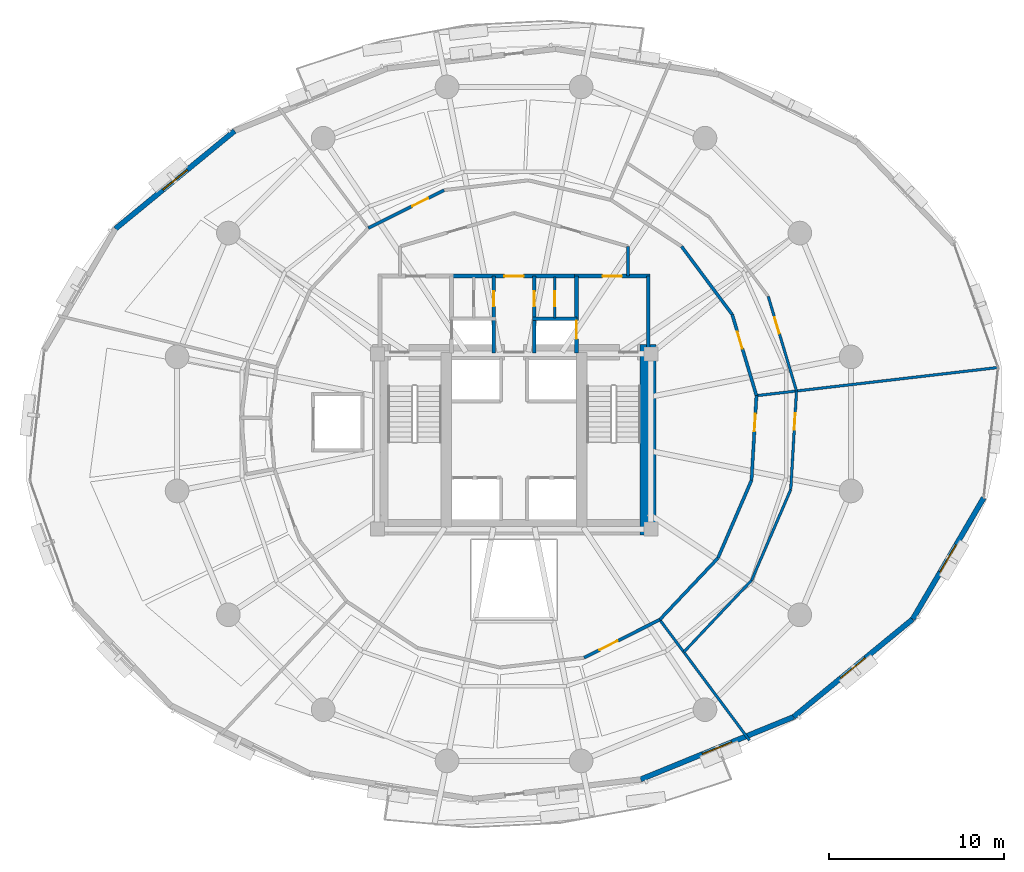
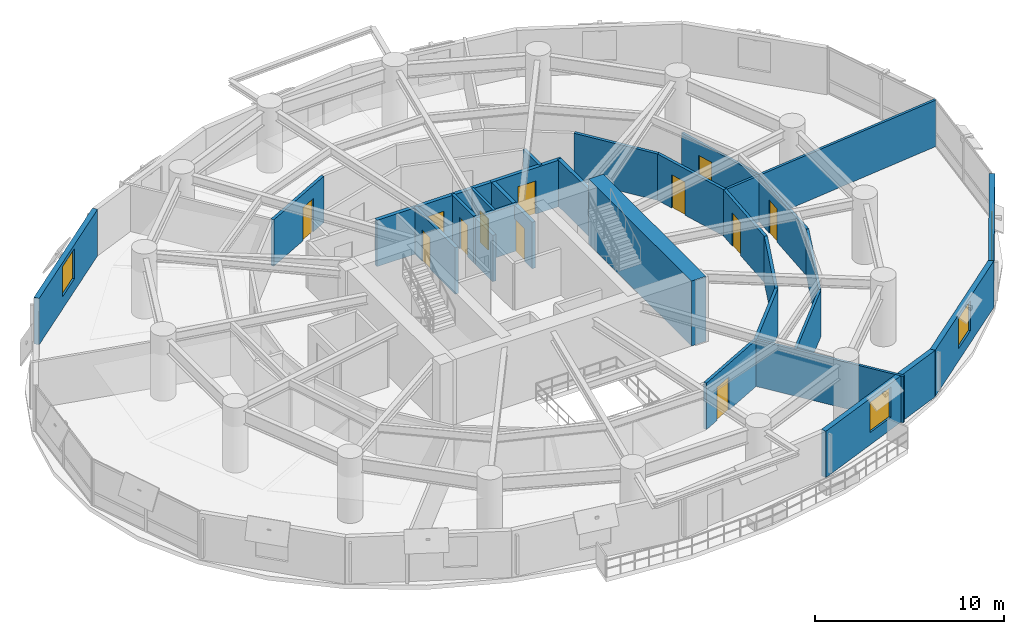
# One storey, part 13 of 17: 27 walls, 12 doors, 4 windows, 16 openings.
"""IFC4 building model written with IfcOpenShell, lengths in metres."""

from ifc_helpers import new_model, si_unit, direction, frame, frame_2d, origin, place, context, subcontext, project, spatial, rectangle, extrude, material, layer, layer_set, type_object, element, fill, save


model = new_model("IFC4")

# Units and contexts
model_context = context("Model", 3, precision=1e-05, world=origin(), true_north=direction((0.0, 1.0)))
body_context = subcontext(model_context, "Body", "Model", "MODEL_VIEW")
ifc_project = project(units=[si_unit("LENGTHUNIT", "METRE"), si_unit("AREAUNIT", "SQUARE_METRE"), si_unit("VOLUMEUNIT", "CUBIC_METRE"), si_unit("PLANEANGLEUNIT", "RADIAN"), si_unit("MASSUNIT", "GRAM", prefix="KILO"), si_unit("THERMODYNAMICTEMPERATUREUNIT", "KELVIN"), si_unit("POWERUNIT", "WATT")], contexts=[model_context])

# Site, building, storey
site_placement = place(None, origin())
site = spatial("IfcSite", under=ifc_project, at=site_placement, CompositionType="ELEMENT")
building_placement = place(site_placement, origin())
building = spatial("IfcBuilding", under=site, at=building_placement, Name="Ocrelia Relay Tower", CompositionType="ELEMENT")
storey_placement = place(building_placement, frame((0.0, 0.0, 59.39990234375)))
storey = spatial("IfcBuildingStorey", under=building, at=storey_placement, Name="L13", CompositionType="ELEMENT", Elevation=59.39990234375)

# Walls
ifc_material_1 = material(Name="Concrete C70/85", Category="concrete")
ifc_layer_1 = layer(ifc_material_1, 0.89990234375, Name="Concrete C70/85")
ifc_layer_set_1 = layer_set([ifc_layer_1], Name="Concrete C70/85")
wall_type_1 = type_object("IfcWallType", Name="CW-CORE-900", PredefinedType="SHEAR", material=ifc_layer_set_1)
wall_1_placement = place(storey_placement, frame((41.637939453125, 19.662109375, 0.0), z_axis=(0.0, 0.0, 1.0), x_axis=(0.0, 1.0, 0.0)))
element("IfcWall", 1, at=wall_1_placement, inside=storey, type_object=wall_type_1, Name="L13 Core Shear Wall E", PredefinedType="SHEAR", context=body_context, shape_type="SweptSolid", body=[
    extrude(rectangle(XDim=10.8759765625, YDim=0.89990234375, at=frame_2d((5.43798828125, 0.0))), origin(), (0.0, 0.0, 1.0), 4.2001953125),
])
ifc_material_2 = material(Name="Gypsum Fireboard Partition EI60", Category="gypsum")
ifc_layer_2 = layer(ifc_material_2, 0.179931640625, Name="Gypsum Fireboard Partition EI60")
ifc_layer_set_2 = layer_set([ifc_layer_2], Name="Gypsum Fireboard Partition EI60")
wall_type_2 = type_object("IfcWallType", Name="W-CORR-EI60-180", PredefinedType="PARTITIONING", material=ifc_layer_set_2)
wall_2_placement = place(storey_placement, frame((40.5, 36.122802734375, 0.0), z_axis=(0.0, 0.0, 1.0), x_axis=(0.0, -1.0, 0.0)))
element("IfcWall", 2, at=wall_2_placement, inside=storey, type_object=wall_type_2, Name="L13 Smoke Lobby East Return", PredefinedType="PARTITIONING", context=body_context, shape_type="SweptSolid", body=[
    extrude(rectangle(XDim=1.69287109375, YDim=0.179931640625, at=frame_2d((0.846435546875, 0.0))), origin(), (0.0, 0.0, 1.0), 3.0),
])

# Wall, opening, door
wall_3_placement = place(storey_placement, frame((37.98828125, 12.66357421875, 0.0), z_axis=(0.0, 0.0, 1.0), x_axis=(0.893759589468, 0.44854631448, 0.0)))
wall_3 = element("IfcWall", 3, at=wall_3_placement, inside=storey, type_object=wall_type_2, Name="L13 Colocation Data Hall A Corridor Partition 4", PredefinedType="PARTITIONING", context=body_context, shape_type="SweptSolid", body=[
    extrude(rectangle(XDim=4.83447265625, YDim=0.179931640625, at=frame_2d((2.417236328125, 0.0))), origin(), (0.0, 0.0, 1.0), 3.0),
])
opening_1_placement = place(wall_3_placement, frame((0.99609375, 0.0, 0.0)))
opening_1 = element("IfcOpeningElement", 4, at=opening_1_placement, cuts=wall_3, Name="Opening D-RM115", PredefinedType="OPENING", context=body_context, shape_type="SweptSolid", body=[
    extrude(rectangle(XDim=1.14990234375, YDim=2.14990234375, at=frame_2d((0.574951171875, 1.074951171875))), frame((0.0, 0.10009765625, 0.0), z_axis=(0.0, -1.0, 0.0), x_axis=(1.0, 0.0, 0.0)), (0.0, 0.0, 1.0), 0.199951171875),
])
ifc_material_3 = material(Name="Wide acoustic oak veneer fire door", Category="wood")
door_type_1 = type_object("IfcDoorType", Name="DR-ROOM-1150", OperationType="NOTDEFINED", PredefinedType="DOOR", material=ifc_material_3)
door_1_placement = place(opening_1_placement, origin())
door_1 = element("IfcDoor", 5, at=door_1_placement, inside=storey, type_object=door_type_1, Name="L13 Colocation Data Hall A Entrance Door", OperationType="SINGLE_SWING_LEFT", OverallHeight=2.14990234375, OverallWidth=1.14990234375, PredefinedType="DOOR", context=body_context, shape_type="SweptSolid", body=[
    extrude(rectangle(XDim=1.14990234375, YDim=2.14990234375, at=frame_2d((0.574951171875, 1.074951171875))), frame((0.0, 0.02490234375, 0.0), z_axis=(0.0, -1.0, 0.0), x_axis=(1.0, 0.0, 0.0)), (0.0, 0.0, 1.0), 0.050048828125),
])
fill(opening_1, door_1)

# Walls
for number, where, z_axis, x_axis, name in (
    (6, (42.30908203125, 14.83203125, 0.0), (0.0, 0.0, 1.0), (0.68646187942, 0.727165791346, 0.0), "L13 Innovation Club Room Corridor Partition 1"),
    (7, (45.627685546875, 18.347412109375, 0.0), (0.0, 0.0, 1.0), (0.396374105142, 0.918089085423, 0.0), "L13 Innovation Club Room Corridor Partition 2"),
):
    element("IfcWall", number, at=place(storey_placement, frame(where, z_axis=z_axis, x_axis=x_axis)), inside=storey, type_object=wall_type_2, Name=name, PredefinedType="PARTITIONING", context=body_context, shape_type="SweptSolid", body=[
        extrude(rectangle(XDim=4.83447265625, YDim=0.179931640625, at=frame_2d((2.417236328125, 0.0))), origin(), (0.0, 0.0, 1.0), 3.0),
    ])

# Wall, opening, door
wall_4_placement = place(storey_placement, frame((47.5439453125, 22.785888671875, 0.0), z_axis=(0.0, 0.0, 1.0), x_axis=(0.058428943061, 0.99829156994, 0.0)))
wall_4 = element("IfcWall", 8, at=wall_4_placement, inside=storey, type_object=wall_type_2, Name="L13 Innovation Club Room Corridor Partition 3", PredefinedType="PARTITIONING", context=body_context, shape_type="SweptSolid", body=[
    extrude(rectangle(XDim=4.83447265625, YDim=0.179931640625, at=frame_2d((2.417236328125, 0.0))), origin(), (0.0, 0.0, 1.0), 3.0),
])
opening_2_placement = place(wall_4_placement, frame((2.80078125, 0.0, 0.0)))
opening_2 = element("IfcOpeningElement", 9, at=opening_2_placement, cuts=wall_4, Name="Opening D-RM100", PredefinedType="OPENING", context=body_context, shape_type="SweptSolid", body=[
    extrude(rectangle(XDim=1.0, YDim=2.14990234375, at=frame_2d((0.5, 1.074951171875))), frame((0.0, 0.10009765625, 0.0), z_axis=(0.0, -1.0, 0.0), x_axis=(1.0, 0.0, 0.0)), (0.0, 0.0, 1.0), 0.199951171875),
])
ifc_material_4 = material(Name="Acoustic oak veneer fire door", Category="wood")
door_type_2 = type_object("IfcDoorType", Name="DR-ROOM-FD60-1000", OperationType="NOTDEFINED", PredefinedType="DOOR", material=ifc_material_4)
door_2_placement = place(opening_2_placement, origin())
door_2 = element("IfcDoor", 10, at=door_2_placement, inside=storey, type_object=door_type_2, Name="L13 Innovation Club Room Entrance Door", OperationType="SINGLE_SWING_RIGHT", OverallHeight=2.14990234375, OverallWidth=1.0, PredefinedType="DOOR", context=body_context, shape_type="SweptSolid", body=[
    extrude(rectangle(XDim=1.0, YDim=2.14990234375, at=frame_2d((0.5, 1.074951171875))), frame((0.0, 0.02490234375, 0.0), z_axis=(0.0, -1.0, 0.0), x_axis=(1.0, 0.0, 0.0)), (0.0, 0.0, 1.0), 0.050048828125),
])
fill(opening_2, door_2)

wall_5_placement = place(storey_placement, frame((47.826416015625, 27.612060546875, 0.0), z_axis=(0.0, 0.0, 1.0), x_axis=(-0.28654624533, 0.958066411731, 0.0)))
wall_5 = element("IfcWall", 11, at=wall_5_placement, inside=storey, type_object=wall_type_2, Name="L13 Staff Wellness Room Corridor Partition 1", PredefinedType="PARTITIONING", context=body_context, shape_type="SweptSolid", body=[
    extrude(rectangle(XDim=4.834228515625, YDim=0.179931640625, at=frame_2d((2.4169921875, 0.0))), origin(), (0.0, 0.0, 1.0), 3.0),
])
opening_3_placement = place(wall_5_placement, frame((2.80078125, 0.0, 0.0)))
opening_3 = element("IfcOpeningElement", 12, at=opening_3_placement, cuts=wall_5, Name="Opening D-RM100", PredefinedType="OPENING", context=body_context, shape_type="SweptSolid", body=[
    extrude(rectangle(XDim=1.0, YDim=2.14990234375, at=frame_2d((0.5, 1.074951171875))), frame((0.0, 0.10009765625, 0.0), z_axis=(0.0, -1.0, 0.0), x_axis=(1.0, 0.0, 0.0)), (0.0, 0.0, 1.0), 0.199951171875),
])
door_3_placement = place(opening_3_placement, origin())
door_3 = element("IfcDoor", 13, at=door_3_placement, inside=storey, type_object=door_type_2, Name="L13 Staff Wellness Room Entrance Door", OperationType="SINGLE_SWING_RIGHT", OverallHeight=2.14990234375, OverallWidth=1.0, PredefinedType="DOOR", context=body_context, shape_type="SweptSolid", body=[
    extrude(rectangle(XDim=1.0, YDim=2.14990234375, at=frame_2d((0.5, 1.074951171875))), frame((0.0, 0.02490234375, 0.0), z_axis=(0.0, -1.0, 0.0), x_axis=(1.0, 0.0, 0.0)), (0.0, 0.0, 1.0), 0.050048828125),
])
fill(opening_3, door_3)

# Wall
wall_6_placement = place(storey_placement, frame((46.441162109375, 32.24365234375, 0.0), z_axis=(0.0, 0.0, 1.0), x_axis=(-0.596917041203, 0.802302963924, 0.0)))
element("IfcWall", 14, at=wall_6_placement, inside=storey, type_object=wall_type_2, Name="L13 Staff Wellness Room Corridor Partition 2", PredefinedType="PARTITIONING", context=body_context, shape_type="SweptSolid", body=[
    extrude(rectangle(XDim=4.83447265625, YDim=0.179931640625, at=frame_2d((2.417236328125, 0.0))), origin(), (0.0, 0.0, 1.0), 3.0),
])

# Wall, opening, door
wall_7_placement = place(storey_placement, frame((30.01171875, 39.33642578125, 0.0), z_axis=(0.0, 0.0, 1.0), x_axis=(-0.893759589468, -0.44854631448, 0.0)))
wall_7 = element("IfcWall", 15, at=wall_7_placement, inside=storey, type_object=wall_type_2, Name="L13 Shift Staff Lounge Corridor Partition 3", PredefinedType="PARTITIONING", context=body_context, shape_type="SweptSolid", body=[
    extrude(rectangle(XDim=4.83447265625, YDim=0.179931640625, at=frame_2d((2.417236328125, 0.0))), origin(), (0.0, 0.0, 1.0), 3.0),
])
opening_4_placement = place(wall_7_placement, frame((1.03369140625, 0.0, 0.0)))
opening_4 = element("IfcOpeningElement", 16, at=opening_4_placement, cuts=wall_7, Name="Opening D-RM100", PredefinedType="OPENING", context=body_context, shape_type="SweptSolid", body=[
    extrude(rectangle(XDim=1.0, YDim=2.14990234375, at=frame_2d((0.5, 1.074951171875))), frame((0.0, 0.10009765625, 0.0), z_axis=(0.0, -1.0, 0.0), x_axis=(1.0, 0.0, 0.0)), (0.0, 0.0, 1.0), 0.199951171875),
])
door_4_placement = place(opening_4_placement, origin())
door_4 = element("IfcDoor", 17, at=door_4_placement, inside=storey, type_object=door_type_2, Name="L13 Shift Staff Lounge Entrance Door", OperationType="SINGLE_SWING_RIGHT", OverallHeight=2.14990234375, OverallWidth=1.0, PredefinedType="DOOR", context=body_context, shape_type="SweptSolid", body=[
    extrude(rectangle(XDim=1.0, YDim=2.14990234375, at=frame_2d((0.5, 1.074951171875))), frame((0.0, 0.02490234375, 0.0), z_axis=(0.0, -1.0, 0.0), x_axis=(1.0, 0.0, 0.0)), (0.0, 0.0, 1.0), 0.050048828125),
])
fill(opening_4, door_4)

# Wall, opening, window
ifc_material_5 = material(Name="Precast concrete C40/50 with oxide terracotta", Category="masonry")
ifc_layer_3 = layer(ifc_material_5, 0.300048828125, Name="Precast concrete C40/50 with oxide terracotta")
ifc_layer_set_3 = layer_set([ifc_layer_3], Name="Precast concrete C40/50 with oxide terracotta")
wall_type_3 = type_object("IfcWallType", Name="W-EXT-TERR-300", PredefinedType="SOLIDWALL", material=ifc_layer_set_3)
wall_8_placement = place(storey_placement, frame((18.057373046875, 42.712646484375, 0.0), z_axis=(0.0, 0.0, 1.0), x_axis=(-0.77286874502, -0.634565916964, 0.0)))
wall_8 = element("IfcWall", 18, at=wall_8_placement, inside=storey, type_object=wall_type_3, Name="L13 Oxide Terracotta Facade Wall 07", PredefinedType="SOLIDWALL", context=body_context, shape_type="SweptSolid", body=[
    extrude(rectangle(XDim=8.792724609375, YDim=0.300048828125, at=frame_2d((4.396484375, 0.0))), origin(), (0.0, 0.0, 1.0), 3.0),
])
opening_5_placement = place(wall_8_placement, frame((3.49609375, 0.0, 0.800048828125)))
opening_5 = element("IfcOpeningElement", 19, at=opening_5_placement, cuts=wall_8, Name="Opening W-02", PredefinedType="OPENING", context=body_context, shape_type="SweptSolid", body=[
    extrude(rectangle(XDim=1.800048828125, YDim=1.949951171875, at=frame_2d((0.89990234375, 0.97509765625))), frame((0.0, 0.16015625, 0.0), z_axis=(0.0, -1.0, 0.0), x_axis=(1.0, 0.0, 0.0)), (0.0, 0.0, 1.0), 0.320068359375),
])
ifc_material_6 = material(Name="Clear double-glazed low-E glass", Category="glass")
window_type = type_object("IfcWindowType", Name="WIN-Z1-1800x2100", PartitioningType="DOUBLE_PANEL_VERTICAL", PredefinedType="WINDOW", material=ifc_material_6)
window_1_placement = place(opening_5_placement, origin())
window_1 = element("IfcWindow", 20, at=window_1_placement, inside=storey, type_object=window_type, Name="L13 Facade Module Window 07", OverallHeight=1.949951171875, OverallWidth=1.800048828125, PartitioningType="SINGLE_PANEL", PredefinedType="WINDOW", context=body_context, shape_type="SweptSolid", body=[
    extrude(rectangle(XDim=1.800048828125, YDim=1.949951171875, at=frame_2d((0.89990234375, 0.97509765625))), frame((0.0, 0.030029296875, 0.0), z_axis=(0.0, -1.0, 0.0), x_axis=(1.0, 0.0, 0.0)), (0.0, 0.0, 1.0), 0.06005859375),
])
fill(opening_5, window_1)

wall_9_placement = place(storey_placement, frame((41.22412109375, 5.723876953125, 0.0), z_axis=(0.0, 0.0, 1.0), x_axis=(0.925665413504, 0.378343154084, 0.0)))
wall_9 = element("IfcWall", 21, at=wall_9_placement, inside=storey, type_object=wall_type_3, Name="L13 Oxide Terracotta Facade Wall 15", PredefinedType="SOLIDWALL", context=body_context, shape_type="SweptSolid", body=[
    extrude(rectangle(XDim=9.418701171875, YDim=0.300048828125, at=frame_2d((4.70947265625, 0.0))), origin(), (0.0, 0.0, 1.0), 3.0),
])
opening_6_placement = place(wall_9_placement, frame((3.80908203125, 0.0, 0.800048828125)))
opening_6 = element("IfcOpeningElement", 22, at=opening_6_placement, cuts=wall_9, Name="Opening W-02", PredefinedType="OPENING", context=body_context, shape_type="SweptSolid", body=[
    extrude(rectangle(XDim=1.800048828125, YDim=1.949951171875, at=frame_2d((0.89990234375, 0.97509765625))), frame((0.0, 0.16015625, 0.0), z_axis=(0.0, -1.0, 0.0), x_axis=(1.0, 0.0, 0.0)), (0.0, 0.0, 1.0), 0.320068359375),
])
window_2_placement = place(opening_6_placement, origin())
window_2 = element("IfcWindow", 23, at=window_2_placement, inside=storey, type_object=window_type, Name="L13 Facade Module Window 15", OverallHeight=1.949951171875, OverallWidth=1.800048828125, PartitioningType="SINGLE_PANEL", PredefinedType="WINDOW", context=body_context, shape_type="SweptSolid", body=[
    extrude(rectangle(XDim=1.800048828125, YDim=1.949951171875, at=frame_2d((0.89990234375, 0.97509765625))), frame((0.0, 0.030029296875, 0.0), z_axis=(0.0, -1.0, 0.0), x_axis=(1.0, 0.0, 0.0)), (0.0, 0.0, 1.0), 0.06005859375),
])
fill(opening_6, window_2)

wall_10_placement = place(storey_placement, frame((49.942626953125, 9.287353515625, 0.0), z_axis=(0.0, 0.0, 1.0), x_axis=(0.77286874502, 0.634565916964, 0.0)))
wall_10 = element("IfcWall", 24, at=wall_10_placement, inside=storey, type_object=wall_type_3, Name="L13 Oxide Terracotta Facade Wall 16", PredefinedType="SOLIDWALL", context=body_context, shape_type="SweptSolid", body=[
    extrude(rectangle(XDim=8.792724609375, YDim=0.300048828125, at=frame_2d((4.396484375, 0.0))), origin(), (0.0, 0.0, 1.0), 3.0),
])
opening_7_placement = place(wall_10_placement, frame((3.49609375, 0.0, 0.800048828125)))
opening_7 = element("IfcOpeningElement", 25, at=opening_7_placement, cuts=wall_10, Name="Opening W-02", PredefinedType="OPENING", context=body_context, shape_type="SweptSolid", body=[
    extrude(rectangle(XDim=1.800048828125, YDim=1.949951171875, at=frame_2d((0.89990234375, 0.97509765625))), frame((0.0, 0.16015625, 0.0), z_axis=(0.0, -1.0, 0.0), x_axis=(1.0, 0.0, 0.0)), (0.0, 0.0, 1.0), 0.320068359375),
])
window_3_placement = place(opening_7_placement, origin())
window_3 = element("IfcWindow", 26, at=window_3_placement, inside=storey, type_object=window_type, Name="L13 Facade Module Window 16", OverallHeight=1.949951171875, OverallWidth=1.800048828125, PartitioningType="SINGLE_PANEL", PredefinedType="WINDOW", context=body_context, shape_type="SweptSolid", body=[
    extrude(rectangle(XDim=1.800048828125, YDim=1.949951171875, at=frame_2d((0.89990234375, 0.97509765625))), frame((0.0, 0.030029296875, 0.0), z_axis=(0.0, -1.0, 0.0), x_axis=(1.0, 0.0, 0.0)), (0.0, 0.0, 1.0), 0.06005859375),
])
fill(opening_7, window_3)

wall_11_placement = place(storey_placement, frame((56.73828125, 14.866943359375, 0.0), z_axis=(0.0, 0.0, 1.0), x_axis=(0.505259367274, 0.862967538081, 0.0)))
wall_11 = element("IfcWall", 27, at=wall_11_placement, inside=storey, type_object=wall_type_3, Name="L13 Oxide Terracotta Facade Wall 17", PredefinedType="SOLIDWALL", context=body_context, shape_type="SweptSolid", body=[
    extrude(rectangle(XDim=8.021484375, YDim=0.300048828125, at=frame_2d((4.0107421875, 0.0))), origin(), (0.0, 0.0, 1.0), 3.0),
])
opening_8_placement = place(wall_11_placement, frame((3.111083984375, 0.0, 0.800048828125)))
opening_8 = element("IfcOpeningElement", 28, at=opening_8_placement, cuts=wall_11, Name="Opening W-02", PredefinedType="OPENING", context=body_context, shape_type="SweptSolid", body=[
    extrude(rectangle(XDim=1.800048828125, YDim=1.949951171875, at=frame_2d((0.89990234375, 0.97509765625))), frame((0.0, 0.16015625, 0.0), z_axis=(0.0, -1.0, 0.0), x_axis=(1.0, 0.0, 0.0)), (0.0, 0.0, 1.0), 0.320068359375),
])
window_4_placement = place(opening_8_placement, origin())
window_4 = element("IfcWindow", 29, at=window_4_placement, inside=storey, type_object=window_type, Name="L13 Facade Module Window 17", OverallHeight=1.949951171875, OverallWidth=1.800048828125, PartitioningType="SINGLE_PANEL", PredefinedType="WINDOW", context=body_context, shape_type="SweptSolid", body=[
    extrude(rectangle(XDim=1.800048828125, YDim=1.949951171875, at=frame_2d((0.89990234375, 0.97509765625))), frame((0.0, 0.030029296875, 0.0), z_axis=(0.0, -1.0, 0.0), x_axis=(1.0, 0.0, 0.0)), (0.0, 0.0, 1.0), 0.06005859375),
])
fill(opening_8, window_4)

# Wall, opening, door
ifc_material_7 = material(Name="Concrete C50/60", Category="concrete")
ifc_layer_4 = layer(ifc_material_7, 0.219970703125, Name="Concrete C50/60")
ifc_layer_set_4 = layer_set([ifc_layer_4], Name="Concrete C50/60")
wall_type_4 = type_object("IfcWallType", Name="W-FFL-EI120-220", PredefinedType="SOLIDWALL", material=ifc_layer_set_4)
wall_12_placement = place(storey_placement, frame((37.56005859375, 30.050048828125, 0.0), z_axis=(0.0, 0.0, 1.0), x_axis=(0.0, 1.0, 0.0)))
wall_12 = element("IfcWall", 30, at=wall_12_placement, inside=storey, type_object=wall_type_4, Name="L13 E Fire Service Lift Lobby West Wall", PredefinedType="SOLIDWALL", context=body_context, shape_type="SweptSolid", body=[
    extrude(rectangle(XDim=4.3798828125, YDim=0.219970703125, at=frame_2d((2.18994140625, 0.0))), origin(), (0.0, 0.0, 1.0), 3.0),
])
opening_9_placement = place(wall_12_placement, frame((0.800048828125, 0.0, 0.0)))
opening_9 = element("IfcOpeningElement", 31, at=opening_9_placement, cuts=wall_12, Name="Opening LD-FFL2", PredefinedType="OPENING", context=body_context, shape_type="SweptSolid", body=[
    extrude(rectangle(XDim=1.050048828125, YDim=2.10009765625, at=frame_2d((0.52490234375, 1.050048828125))), frame((0.0, 0.1201171875, 0.0), z_axis=(0.0, -1.0, 0.0), x_axis=(1.0, 0.0, 0.0)), (0.0, 0.0, 1.0), 0.239990234375),
])
ifc_material_8 = material(Name="Brushed stainless steel S355 lift landing door", Category="steel")
door_type_3 = type_object("IfcDoorType", Name="DR-LIFT-LAND-1050", OperationType="DOUBLE_DOOR_SLIDING", PredefinedType="USERDEFINED", material=ifc_material_8)
door_5_placement = place(opening_9_placement, origin())
door_5 = element("IfcDoor", 32, at=door_5_placement, inside=storey, type_object=door_type_3, Name="L13 Firefighting Lift FFL2 Sliding Landing Door", ObjectType="LANDING DOOR", OperationType="DOUBLE_DOOR_SLIDING", OverallHeight=2.10009765625, OverallWidth=1.050048828125, PredefinedType="USERDEFINED", context=body_context, shape_type="SweptSolid", body=[
    extrude(rectangle(XDim=1.050048828125, YDim=2.10009765625, at=frame_2d((0.52490234375, 1.050048828125))), frame((0.0, 0.02490234375, 0.0), z_axis=(0.0, -1.0, 0.0), x_axis=(1.0, 0.0, 0.0)), (0.0, 0.0, 1.0), 0.050048828125),
])
fill(opening_9, door_5)

# Wall
wall_13_placement = place(storey_placement, frame((41.64990234375, 30.050048828125, 0.0), z_axis=(0.0, 0.0, 1.0), x_axis=(0.0, 1.0, 0.0)))
element("IfcWall", 33, at=wall_13_placement, inside=storey, type_object=wall_type_4, Name="L13 E Fire Service Lift Lobby East Wall", PredefinedType="SOLIDWALL", context=body_context, shape_type="SweptSolid", body=[
    extrude(rectangle(XDim=4.3798828125, YDim=0.219970703125, at=frame_2d((2.18994140625, 0.0))), origin(), (0.0, 0.0, 1.0), 3.0),
])

# Wall, opening, door
wall_14_placement = place(storey_placement, frame((37.449951171875, 34.429931640625, 0.0), z_axis=(0.0, 0.0, 1.0), x_axis=(1.0, 0.0, 0.0)))
wall_14 = element("IfcWall", 34, at=wall_14_placement, inside=storey, type_object=wall_type_4, Name="L13 E Fire Service Lift Lobby North Wall", PredefinedType="SOLIDWALL", context=body_context, shape_type="SweptSolid", body=[
    extrude(rectangle(XDim=4.31005859375, YDim=0.219970703125, at=frame_2d((2.155029296875, 0.0))), origin(), (0.0, 0.0, 1.0), 3.0),
])
opening_10_placement = place(wall_14_placement, frame((1.60009765625, 0.0, 0.0)))
opening_10 = element("IfcOpeningElement", 35, at=opening_10_placement, cuts=wall_14, Name="Opening D-FD60", PredefinedType="OPENING", context=body_context, shape_type="SweptSolid", body=[
    extrude(rectangle(XDim=1.10009765625, YDim=2.14990234375, at=frame_2d((0.550048828125, 1.074951171875))), frame((0.0, 0.1201171875, 0.0), z_axis=(0.0, -1.0, 0.0), x_axis=(1.0, 0.0, 0.0)), (0.0, 0.0, 1.0), 0.239990234375),
])
ifc_material_9 = material(Name="Timber-core 60-min acoustic fire door", Category="wood")
door_type_4 = type_object("IfcDoorType", Name="DR-LOBBY-FD60-1100", OperationType="NOTDEFINED", PredefinedType="DOOR", material=ifc_material_9)
door_6_placement = place(opening_10_placement, origin())
door_6 = element("IfcDoor", 36, at=door_6_placement, inside=storey, type_object=door_type_4, Name="L13 E Fire Service Lift Lobby Exit Door", OperationType="SINGLE_SWING_LEFT", OverallHeight=2.14990234375, OverallWidth=1.10009765625, PredefinedType="DOOR", context=body_context, shape_type="SweptSolid", body=[
    extrude(rectangle(XDim=1.10009765625, YDim=2.14990234375, at=frame_2d((0.550048828125, 1.074951171875))), frame((0.0, 0.02490234375, 0.0), z_axis=(0.0, -1.0, 0.0), x_axis=(1.0, 0.0, 0.0)), (0.0, 0.0, 1.0), 0.050048828125),
])
fill(opening_10, door_6)

wall_15_placement = place(storey_placement, frame((30.43994140625, 34.429931640625, 0.0), z_axis=(0.0, 0.0, 1.0), x_axis=(1.0, 0.0, 0.0)))
wall_15 = element("IfcWall", 37, at=wall_15_placement, inside=storey, type_object=wall_type_4, Name="L13 North Core Vestibule Wall", PredefinedType="SOLIDWALL", context=body_context, shape_type="SweptSolid", body=[
    extrude(rectangle(XDim=7.1201171875, YDim=0.219970703125, at=frame_2d((3.56005859375, 0.0))), origin(), (0.0, 0.0, 1.0), 3.0),
])
opening_11_placement = place(wall_15_placement, frame((3.010009765625, 0.0, 0.0)))
opening_11 = element("IfcOpeningElement", 38, at=opening_11_placement, cuts=wall_15, Name="Opening D-FD60", PredefinedType="OPENING", context=body_context, shape_type="SweptSolid", body=[
    extrude(rectangle(XDim=1.10009765625, YDim=2.14990234375, at=frame_2d((0.550048828125, 1.074951171875))), frame((0.0, 0.1201171875, 0.0), z_axis=(0.0, -1.0, 0.0), x_axis=(1.0, 0.0, 0.0)), (0.0, 0.0, 1.0), 0.239990234375),
])
door_7_placement = place(opening_11_placement, origin())
door_7 = element("IfcDoor", 39, at=door_7_placement, inside=storey, type_object=door_type_4, Name="L13 North Core Vestibule Corridor Door", OperationType="SINGLE_SWING_LEFT", OverallHeight=2.14990234375, OverallWidth=1.10009765625, PredefinedType="DOOR", context=body_context, shape_type="SweptSolid", body=[
    extrude(rectangle(XDim=1.10009765625, YDim=2.14990234375, at=frame_2d((0.550048828125, 1.074951171875))), frame((0.0, 0.02490234375, 0.0), z_axis=(0.0, -1.0, 0.0), x_axis=(1.0, 0.0, 0.0)), (0.0, 0.0, 1.0), 0.050048828125),
])
fill(opening_11, door_7)

ifc_material_10 = material(Name="Acoustic Fireboard Partition EI60", Category="gypsum")
ifc_layer_5 = layer(ifc_material_10, 0.14990234375, Name="Acoustic Fireboard Partition EI60")
ifc_layer_set_5 = layer_set([ifc_layer_5], Name="Acoustic Fireboard Partition EI60")
wall_type_5 = type_object("IfcWallType", Name="W-PART-150", PredefinedType="PARTITIONING", material=ifc_layer_set_5)
wall_16_placement = place(storey_placement, frame((36.31005859375, 32.050048828125, 0.0), z_axis=(0.0, 0.0, 1.0), x_axis=(0.0, 1.0, 0.0)))
wall_16 = element("IfcWall", 40, at=wall_16_placement, inside=storey, type_object=wall_type_5, Name="L13 East Core Support Partition", PredefinedType="PARTITIONING", context=body_context, shape_type="SweptSolid", body=[
    extrude(rectangle(XDim=2.329833984375, YDim=0.14990234375, at=frame_2d((1.1650390625, 0.0))), origin(), (0.0, 0.0, 1.0), 3.0),
])
opening_12_placement = place(wall_16_placement, frame((0.64990234375, 0.0, 0.0)))
opening_12 = element("IfcOpeningElement", 41, at=opening_12_placement, cuts=wall_16, Name="Opening D-RS86", PredefinedType="OPENING", context=body_context, shape_type="SweptSolid", body=[
    extrude(rectangle(XDim=0.860107421875, YDim=2.050048828125, at=frame_2d((0.43017578125, 1.02490234375))), frame((0.0, 0.0849609375, 0.0), z_axis=(0.0, -1.0, 0.0), x_axis=(1.0, 0.0, 0.0)), (0.0, 0.0, 1.0), 0.169921875),
])
ifc_material_11 = material(Name="Steel S355 riser access fire door", Category="steel")
door_type_5 = type_object("IfcDoorType", Name="DR-RISER-TRAP-860", OperationType="NOTDEFINED", PredefinedType="TRAPDOOR", material=ifc_material_11)
door_8_placement = place(opening_12_placement, origin())
door_8 = element("IfcDoor", 42, at=door_8_placement, inside=storey, type_object=door_type_5, Name="L13 East Core Store Connecting Door", OperationType="SINGLE_SWING_LEFT", OverallHeight=2.050048828125, OverallWidth=0.860107421875, PredefinedType="TRAPDOOR", context=body_context, shape_type="SweptSolid", body=[
    extrude(rectangle(XDim=0.860107421875, YDim=2.050048828125, at=frame_2d((0.43017578125, 1.02490234375))), frame((0.0, 0.02490234375, 0.0), z_axis=(0.0, -1.0, 0.0), x_axis=(1.0, 0.0, 0.0)), (0.0, 0.0, 1.0), 0.050048828125),
])
fill(opening_12, door_8)

# Walls
wall_17_placement = place(storey_placement, frame((42.30908203125, 14.83203125, 0.0), z_axis=(0.0, 0.0, 1.0), x_axis=(0.596933618422, -0.802290630132, 0.0)))
element("IfcWall", 43, at=wall_17_placement, inside=storey, type_object=wall_type_5, Name="L13 Colocation Data Hall A Radial Partition", PredefinedType="PARTITIONING", context=body_context, shape_type="SweptSolid", body=[
    extrude(rectangle(XDim=8.57275390625, YDim=0.14990234375, at=frame_2d((4.286376953125, 0.0))), origin(), (0.0, 0.0, 1.0), 3.0),
])
wall_18_placement = place(storey_placement, frame((47.826416015625, 27.612060546875, 0.0), z_axis=(0.0, 0.0, 1.0), x_axis=(0.993271572025, 0.115808394372, 0.0)))
element("IfcWall", 44, at=wall_18_placement, inside=storey, type_object=wall_type_5, Name="L13 Innovation Club Room Radial Partition", PredefinedType="PARTITIONING", context=body_context, shape_type="SweptSolid", body=[
    extrude(rectangle(XDim=13.880126953125, YDim=0.14990234375, at=frame_2d((6.93994140625, 0.0))), origin(), (0.0, 0.0, 1.0), 3.0),
])
wall_19_placement = place(storey_placement, frame((43.68212890625, 12.98681640625, 0.0), z_axis=(0.0, 0.0, 1.0), x_axis=(0.686465710318, 0.727162174867, 0.0)))
element("IfcWall", 45, at=wall_19_placement, inside=storey, type_object=wall_type_5, Name="L13 Perimeter Innovation Club Room Mid-Ring Partition 1", PredefinedType="PARTITIONING", context=body_context, shape_type="SweptSolid", body=[
    extrude(rectangle(XDim=5.633056640625, YDim=0.14990234375, at=frame_2d((2.81640625, 0.0))), origin(), (0.0, 0.0, 1.0), 3.0),
])
wall_20_placement = place(storey_placement, frame((47.549072265625, 17.0830078125, 0.0), z_axis=(0.0, 0.0, 1.0), x_axis=(0.396339712508, 0.918103933272, 0.0)))
element("IfcWall", 46, at=wall_20_placement, inside=storey, type_object=wall_type_5, Name="L13 Perimeter Innovation Club Room Mid-Ring Partition 2", PredefinedType="PARTITIONING", context=body_context, shape_type="SweptSolid", body=[
    extrude(rectangle(XDim=5.63330078125, YDim=0.14990234375, at=frame_2d((2.816650390625, 0.0))), origin(), (0.0, 0.0, 1.0), 3.0),
])

# Wall, opening, door
wall_21_placement = place(storey_placement, frame((49.78173828125, 22.2548828125, 0.0), z_axis=(0.0, 0.0, 1.0), x_axis=(0.058422226542, 0.998291963028, 0.0)))
wall_21 = element("IfcWall", 47, at=wall_21_placement, inside=storey, type_object=wall_type_5, Name="L13 Perimeter Innovation Club Room Mid-Ring Partition 3", PredefinedType="PARTITIONING", context=body_context, shape_type="SweptSolid", body=[
    extrude(rectangle(XDim=5.633056640625, YDim=0.14990234375, at=frame_2d((2.81640625, 0.0))), origin(), (0.0, 0.0, 1.0), 3.0),
])
opening_13_placement = place(wall_21_placement, frame((3.42236328125, 0.0, 0.0)))
opening_13 = element("IfcOpeningElement", 48, at=opening_13_placement, cuts=wall_21, Name="Opening D-RM95", PredefinedType="OPENING", context=body_context, shape_type="SweptSolid", body=[
    extrude(rectangle(XDim=0.949951171875, YDim=2.14990234375, at=frame_2d((0.47509765625, 1.074951171875))), frame((0.0, 0.0849609375, 0.0), z_axis=(0.0, -1.0, 0.0), x_axis=(1.0, 0.0, 0.0)), (0.0, 0.0, 1.0), 0.169921875),
])
door_type_6 = type_object("IfcDoorType", Name="DR-ROOM-950", OperationType="NOTDEFINED", PredefinedType="DOOR", material=ifc_material_4)
door_9_placement = place(opening_13_placement, origin())
door_9 = element("IfcDoor", 49, at=door_9_placement, inside=storey, type_object=door_type_6, Name="L13 Perimeter Innovation Club Room Connecting Door", OperationType="SINGLE_SWING_LEFT", OverallHeight=2.14990234375, OverallWidth=0.949951171875, PredefinedType="DOOR", context=body_context, shape_type="SweptSolid", body=[
    extrude(rectangle(XDim=0.949951171875, YDim=2.14990234375, at=frame_2d((0.47509765625, 1.074951171875))), frame((0.0, 0.02490234375, 0.0), z_axis=(0.0, -1.0, 0.0), x_axis=(1.0, 0.0, 0.0)), (0.0, 0.0, 1.0), 0.050048828125),
])
fill(opening_13, door_9)

wall_22_placement = place(storey_placement, frame((50.11083984375, 27.87841796875, 0.0), z_axis=(0.0, 0.0, 1.0), x_axis=(-0.286520739918, 0.958074039726, 0.0)))
wall_22 = element("IfcWall", 50, at=wall_22_placement, inside=storey, type_object=wall_type_5, Name="L13 Perimeter Staff Wellness Room Mid-Ring Partition 1", PredefinedType="PARTITIONING", context=body_context, shape_type="SweptSolid", body=[
    extrude(rectangle(XDim=5.633056640625, YDim=0.14990234375, at=frame_2d((2.81640625, 0.0))), origin(), (0.0, 0.0, 1.0), 3.0),
])
opening_14_placement = place(wall_22_placement, frame((3.42236328125, 0.0, 0.0)))
opening_14 = element("IfcOpeningElement", 51, at=opening_14_placement, cuts=wall_22, Name="Opening D-RM95", PredefinedType="OPENING", context=body_context, shape_type="SweptSolid", body=[
    extrude(rectangle(XDim=0.949951171875, YDim=2.14990234375, at=frame_2d((0.47509765625, 1.074951171875))), frame((0.0, 0.0849609375, 0.0), z_axis=(0.0, -1.0, 0.0), x_axis=(1.0, 0.0, 0.0)), (0.0, 0.0, 1.0), 0.169921875),
])
door_10_placement = place(opening_14_placement, origin())
door_10 = element("IfcDoor", 52, at=door_10_placement, inside=storey, type_object=door_type_6, Name="L13 Perimeter Staff Wellness Room Connecting Door", OperationType="SINGLE_SWING_LEFT", OverallHeight=2.14990234375, OverallWidth=0.949951171875, PredefinedType="DOOR", context=body_context, shape_type="SweptSolid", body=[
    extrude(rectangle(XDim=0.949951171875, YDim=2.14990234375, at=frame_2d((0.47509765625, 1.074951171875))), frame((0.0, 0.02490234375, 0.0), z_axis=(0.0, -1.0, 0.0), x_axis=(1.0, 0.0, 0.0)), (0.0, 0.0, 1.0), 0.050048828125),
])
fill(opening_14, door_10)

ifc_layer_6 = layer(ifc_material_7, 0.199951171875, Name="Concrete C50/60")
ifc_layer_set_6 = layer_set([ifc_layer_6], Name="Concrete C50/60")
wall_type_6 = type_object("IfcWallType", Name="W-SHAFT-EI120-200", PredefinedType="SOLIDWALL", material=ifc_layer_set_6)
wall_23_placement = place(storey_placement, frame((32.85009765625, 30.050048828125, 0.0), z_axis=(0.0, 0.0, 1.0), x_axis=(0.0, 1.0, 0.0)))
wall_23 = element("IfcWall", 53, at=wall_23_placement, inside=storey, type_object=wall_type_6, Name="L13 FFL1 and Service Vestibule Wall", PredefinedType="SOLIDWALL", context=body_context, shape_type="SweptSolid", body=[
    extrude(rectangle(XDim=4.3798828125, YDim=0.199951171875, at=frame_2d((2.18994140625, 0.0))), origin(), (0.0, 0.0, 1.0), 3.0),
])
opening_15_placement = place(wall_23_placement, frame((2.64990234375, 0.0, 0.0)))
opening_15 = element("IfcOpeningElement", 54, at=opening_15_placement, cuts=wall_23, Name="Opening D-RS86", PredefinedType="OPENING", context=body_context, shape_type="SweptSolid", body=[
    extrude(rectangle(XDim=0.860107421875, YDim=2.050048828125, at=frame_2d((0.43017578125, 1.02490234375))), frame((0.0, 0.10986328125, 0.0), z_axis=(0.0, -1.0, 0.0), x_axis=(1.0, 0.0, 0.0)), (0.0, 0.0, 1.0), 0.219970703125),
])
door_11_placement = place(opening_15_placement, origin())
door_11 = element("IfcDoor", 55, at=door_11_placement, inside=storey, type_object=door_type_5, Name="L13 Core Support Room W Door", OperationType="SINGLE_SWING_RIGHT", OverallHeight=2.050048828125, OverallWidth=0.860107421875, PredefinedType="TRAPDOOR", context=body_context, shape_type="SweptSolid", body=[
    extrude(rectangle(XDim=0.860107421875, YDim=2.050048828125, at=frame_2d((0.43017578125, 1.02490234375))), frame((0.0, 0.02490234375, 0.0), z_axis=(0.0, -1.0, 0.0), x_axis=(1.0, 0.0, 0.0)), (0.0, 0.0, 1.0), 0.050048828125),
])
fill(opening_15, door_11)

# Wall
wall_24_placement = place(storey_placement, frame((35.050048828125, 32.0, 0.0), z_axis=(0.0, 0.0, 1.0), x_axis=(1.0, 0.0, 0.0)))
element("IfcWall", 56, at=wall_24_placement, inside=storey, type_object=wall_type_6, Name="L13 FFL2 Hoistway North Wall", PredefinedType="SOLIDWALL", context=body_context, shape_type="SweptSolid", body=[
    extrude(rectangle(XDim=2.550048828125, YDim=0.199951171875, at=frame_2d((1.27490234375, 0.0))), origin(), (0.0, 0.0, 1.0), 3.0),
])

# Wall, opening, door
wall_25_placement = place(storey_placement, frame((35.14990234375, 30.050048828125, 0.0), z_axis=(0.0, 0.0, 1.0), x_axis=(0.0, 1.0, 0.0)))
wall_25 = element("IfcWall", 57, at=wall_25_placement, inside=storey, type_object=wall_type_6, Name="L13 FFL2 and Service Vestibule Wall", PredefinedType="SOLIDWALL", context=body_context, shape_type="SweptSolid", body=[
    extrude(rectangle(XDim=4.3798828125, YDim=0.199951171875, at=frame_2d((2.18994140625, 0.0))), origin(), (0.0, 0.0, 1.0), 3.0),
])
opening_16_placement = place(wall_25_placement, frame((2.64990234375, 0.0, 0.0)))
opening_16 = element("IfcOpeningElement", 58, at=opening_16_placement, cuts=wall_25, Name="Opening D-RS86", PredefinedType="OPENING", context=body_context, shape_type="SweptSolid", body=[
    extrude(rectangle(XDim=0.860107421875, YDim=2.050048828125, at=frame_2d((0.43017578125, 1.02490234375))), frame((0.0, 0.10986328125, 0.0), z_axis=(0.0, -1.0, 0.0), x_axis=(1.0, 0.0, 0.0)), (0.0, 0.0, 1.0), 0.219970703125),
])
door_12_placement = place(opening_16_placement, origin())
door_12 = element("IfcDoor", 59, at=door_12_placement, inside=storey, type_object=door_type_5, Name="L13 Core Support Room E Door", OperationType="SINGLE_SWING_RIGHT", OverallHeight=2.050048828125, OverallWidth=0.860107421875, PredefinedType="TRAPDOOR", context=body_context, shape_type="SweptSolid", body=[
    extrude(rectangle(XDim=0.860107421875, YDim=2.050048828125, at=frame_2d((0.43017578125, 1.02490234375))), frame((0.0, 0.02490234375, 0.0), z_axis=(0.0, -1.0, 0.0), x_axis=(1.0, 0.0, 0.0)), (0.0, 0.0, 1.0), 0.050048828125),
])
fill(opening_16, door_12)

save(model, "model.ifc")
